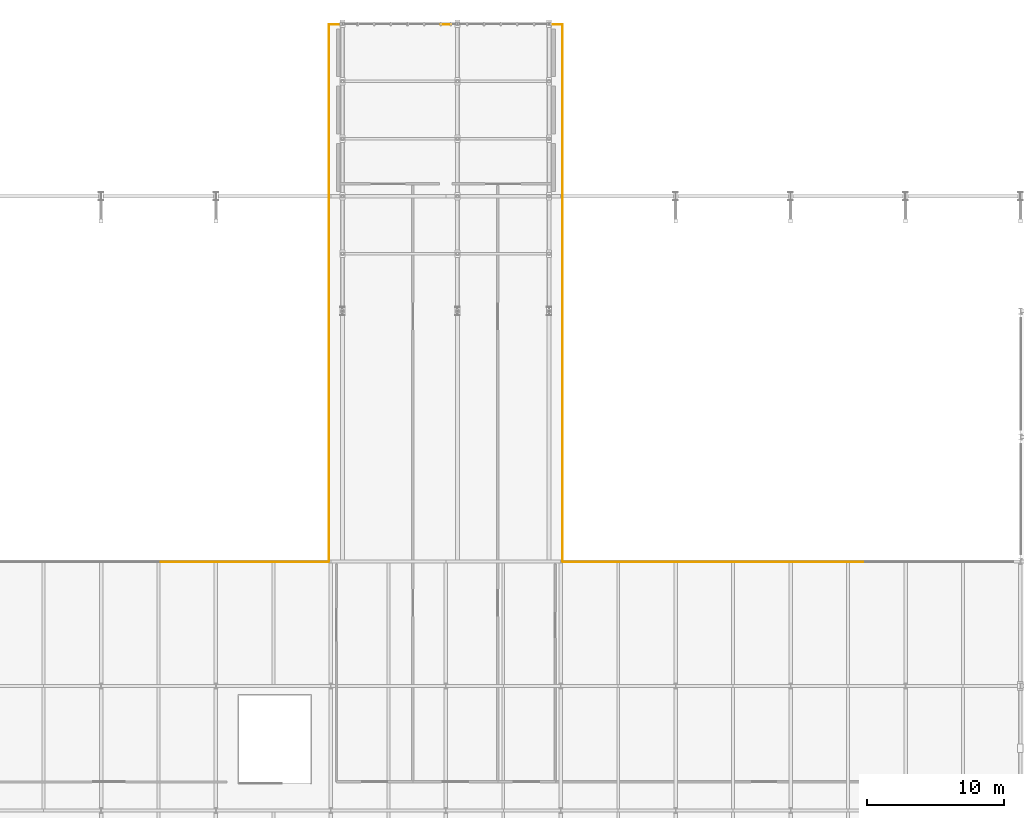
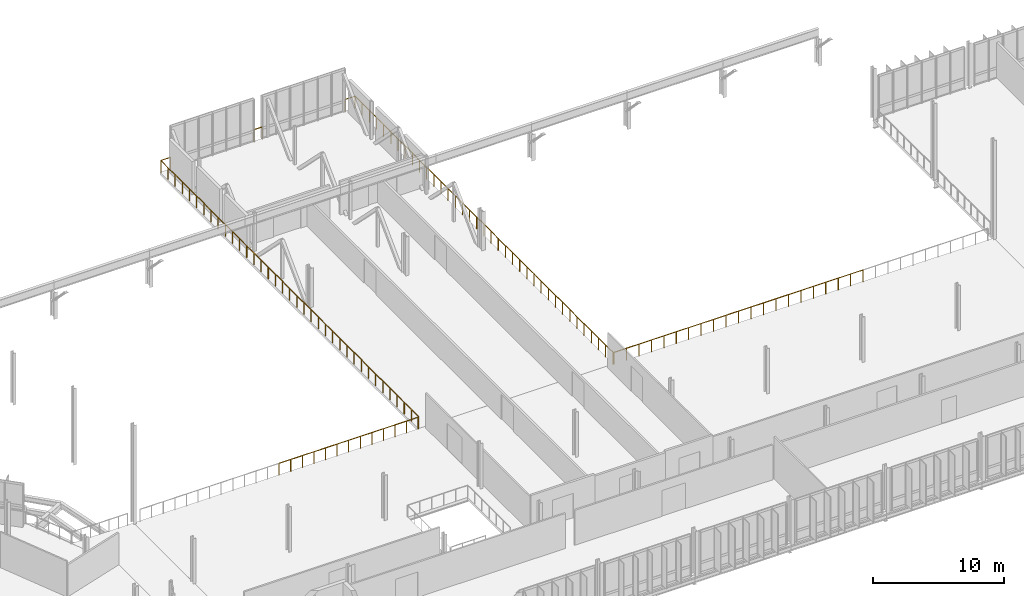
# One storey, part 106 of 107: 55 railings.
"""IFC4 building model written with IfcOpenShell, lengths in metres."""

from ifc_helpers import new_model, si_unit, derived_unit, direction, frame, origin, origin_2d, place, context, subcontext, project, spatial, circle, extrude, material, type_object, element, save


model = new_model("IFC4")

# Units and contexts
model_context = context("Model", 3, precision=1e-05, world=origin(), true_north=direction((0.0, 1.0)))
body_context = subcontext(model_context, "Body", "Model", "MODEL_VIEW")
ifc_project = project(units=[si_unit("LENGTHUNIT", "METRE"), si_unit("AREAUNIT", "SQUARE_METRE"), si_unit("VOLUMEUNIT", "CUBIC_METRE"), si_unit("PLANEANGLEUNIT", "RADIAN"), si_unit("MASSUNIT", "GRAM", prefix="KILO"), derived_unit("THERMALTRANSMITTANCEUNIT", [(si_unit("MASSUNIT", "GRAM", prefix="KILO"), 1), (si_unit("TIMEUNIT", "SECOND"), -3), (si_unit("THERMODYNAMICTEMPERATUREUNIT", "KELVIN"), -1)])], contexts=[model_context])

# Site, building, storey
site_placement = place(None, origin())
site = spatial("IfcSite", under=ifc_project, at=site_placement, CompositionType="ELEMENT")
building_placement = place(site_placement, origin())
building = spatial("IfcBuilding", under=site, at=building_placement, Name="Makaiwela Harbour Ferry Terminal", CompositionType="ELEMENT")
storey_placement = place(building_placement, frame((0.0, 0.0, 9.60009765625)))
storey = spatial("IfcBuildingStorey", under=building, at=storey_placement, Name="L02", CompositionType="ELEMENT", Elevation=9.60009765625)

# Railings
ifc_material = material(Name="Marine grade 316L brushed stainless steel", Category="steel")
railing_type = type_object("IfcRailingType", Name="INT-RL-GRD110", PredefinedType="GUARDRAIL", material=ifc_material)
railing_1_placement = place(storey_placement, frame((75.77392578125, 76.655029296875, 0.0)))
element("IfcRailing", 1, at=railing_1_placement, inside=storey, type_object=railing_type, Name="Deck edge guardrail RL-0492", PredefinedType="GUARDRAIL", context=body_context, shape_type="SweptSolid", body=[
    extrude(circle(Radius=0.02392578125, at=origin_2d()), frame((0.0, 0.0, 1.09619140625), z_axis=(1.0, 0.0, 0.0), x_axis=(0.0, 1.0, 0.0)), (0.0, 0.0, 1.0), 2.03759765625),
    extrude(circle(Radius=0.02099609375, at=origin_2d()), origin(), (0.0, 0.0, 1.0), 1.072021484375),
    extrude(circle(Radius=0.02099609375, at=origin_2d()), frame((1.018798828125, 0.0, 0.0)), (0.0, 0.0, 1.0), 1.072021484375),
    extrude(circle(Radius=0.02099609375, at=origin_2d()), frame((2.03759765625, 0.0, 0.0)), (0.0, 0.0, 1.0), 1.072021484375),
])
railing_2_placement = place(storey_placement, frame((77.8115234375, 76.655029296875, 0.0)))
element("IfcRailing", 2, at=railing_2_placement, inside=storey, type_object=railing_type, Name="Deck edge guardrail RL-0493", PredefinedType="GUARDRAIL", context=body_context, shape_type="SweptSolid", body=[
    extrude(circle(Radius=0.02392578125, at=origin_2d()), frame((0.0, 0.0, 1.09619140625), z_axis=(1.0, 0.0, 0.0), x_axis=(0.0, 1.0, 0.0)), (0.0, 0.0, 1.0), 2.037841796875),
    extrude(circle(Radius=0.02099609375, at=origin_2d()), origin(), (0.0, 0.0, 1.0), 1.072021484375),
    extrude(circle(Radius=0.02099609375, at=origin_2d()), frame((1.01904296875, 0.0, 0.0)), (0.0, 0.0, 1.0), 1.072021484375),
    extrude(circle(Radius=0.02099609375, at=origin_2d()), frame((2.037841796875, 0.0, 0.0)), (0.0, 0.0, 1.0), 1.072021484375),
])
for number, where, name in (
    (3, (79.849365234375, 76.655029296875, 0.0), "Deck edge guardrail RL-0494"),
    (4, (81.886962890625, 76.655029296875, 0.0), "Deck edge guardrail RL-0495"),
):
    element("IfcRailing", number, at=place(storey_placement, frame(where)), inside=storey, type_object=railing_type, Name=name, PredefinedType="GUARDRAIL", context=body_context, shape_type="SweptSolid", body=[
        extrude(circle(Radius=0.02392578125, at=origin_2d()), frame((0.0, 0.0, 1.09619140625), z_axis=(1.0, 0.0, 0.0), x_axis=(0.0, 1.0, 0.0)), (0.0, 0.0, 1.0), 2.03759765625),
        extrude(circle(Radius=0.02099609375, at=origin_2d()), origin(), (0.0, 0.0, 1.0), 1.072021484375),
        extrude(circle(Radius=0.02099609375, at=origin_2d()), frame((1.018798828125, 0.0, 0.0)), (0.0, 0.0, 1.0), 1.072021484375),
        extrude(circle(Radius=0.02099609375, at=origin_2d()), frame((2.03759765625, 0.0, 0.0)), (0.0, 0.0, 1.0), 1.072021484375),
    ])
railing_3_placement = place(storey_placement, frame((83.924560546875, 76.655029296875, 0.0)))
element("IfcRailing", 5, at=railing_3_placement, inside=storey, type_object=railing_type, Name="Deck edge guardrail RL-0496", PredefinedType="GUARDRAIL", context=body_context, shape_type="SweptSolid", body=[
    extrude(circle(Radius=0.02392578125, at=origin_2d()), frame((0.0, 0.0, 1.09619140625), z_axis=(1.0, 0.0, 0.0), x_axis=(0.0, 1.0, 0.0)), (0.0, 0.0, 1.0), 2.037841796875),
    extrude(circle(Radius=0.02099609375, at=origin_2d()), origin(), (0.0, 0.0, 1.0), 1.072021484375),
    extrude(circle(Radius=0.02099609375, at=origin_2d()), frame((1.01904296875, 0.0, 0.0)), (0.0, 0.0, 1.0), 1.072021484375),
    extrude(circle(Radius=0.02099609375, at=origin_2d()), frame((2.037841796875, 0.0, 0.0)), (0.0, 0.0, 1.0), 1.072021484375),
])
railing_4_placement = place(storey_placement, frame((85.96240234375, 76.655029296875, 0.0)))
element("IfcRailing", 6, at=railing_4_placement, inside=storey, type_object=railing_type, Name="Deck edge guardrail RL-0497", PredefinedType="GUARDRAIL", context=body_context, shape_type="SweptSolid", body=[
    extrude(circle(Radius=0.02392578125, at=origin_2d()), frame((0.0, 0.0, 1.09619140625), z_axis=(1.0, 0.0, 0.0), x_axis=(0.0, 1.0, 0.0)), (0.0, 0.0, 1.0), 2.03759765625),
    extrude(circle(Radius=0.02099609375, at=origin_2d()), origin(), (0.0, 0.0, 1.0), 1.072021484375),
    extrude(circle(Radius=0.02099609375, at=origin_2d()), frame((1.018798828125, 0.0, 0.0)), (0.0, 0.0, 1.0), 1.072021484375),
    extrude(circle(Radius=0.02099609375, at=origin_2d()), frame((2.03759765625, 0.0, 0.0)), (0.0, 0.0, 1.0), 1.072021484375),
])
for number, where, name in (
    (7, (88.06494140625, 76.719970703125, 0.0), "Deck edge guardrail RL-0498"),
    (8, (88.06494140625, 78.899658203125, 0.0), "Deck edge guardrail RL-0499"),
):
    element("IfcRailing", number, at=place(storey_placement, frame(where)), inside=storey, type_object=railing_type, Name=name, PredefinedType="GUARDRAIL", context=body_context, shape_type="SweptSolid", body=[
        extrude(circle(Radius=0.02392578125, at=origin_2d()), frame((0.0, 0.0, 1.09619140625), z_axis=(0.0, 1.0, 0.0), x_axis=(-1.0, 0.0, 0.0)), (0.0, 0.0, 1.0), 2.1796875),
        extrude(circle(Radius=0.02099609375, at=origin_2d()), origin(), (0.0, 0.0, 1.0), 1.072021484375),
        extrude(circle(Radius=0.02099609375, at=origin_2d()), frame((0.0, 1.08984375, 0.0)), (0.0, 0.0, 1.0), 1.072021484375),
        extrude(circle(Radius=0.02099609375, at=origin_2d()), frame((0.0, 2.1796875, 0.0)), (0.0, 0.0, 1.0), 1.072021484375),
    ])
railing_5_placement = place(storey_placement, frame((88.06494140625, 81.079345703125, 0.0)))
element("IfcRailing", 9, at=railing_5_placement, inside=storey, type_object=railing_type, Name="Deck edge guardrail RL-0500", PredefinedType="GUARDRAIL", context=body_context, shape_type="SweptSolid", body=[
    extrude(circle(Radius=0.02392578125, at=origin_2d()), frame((0.0, 0.0, 1.09619140625), z_axis=(0.0, 1.0, 0.0), x_axis=(-1.0, 0.0, 0.0)), (0.0, 0.0, 1.0), 2.179931640625),
    extrude(circle(Radius=0.02099609375, at=origin_2d()), origin(), (0.0, 0.0, 1.0), 1.072021484375),
    extrude(circle(Radius=0.02099609375, at=origin_2d()), frame((0.0, 1.08984375, 0.0)), (0.0, 0.0, 1.0), 1.072021484375),
    extrude(circle(Radius=0.02099609375, at=origin_2d()), frame((0.0, 2.179931640625, 0.0)), (0.0, 0.0, 1.0), 1.072021484375),
])
for number, where, name in (
    (10, (88.06494140625, 83.25927734375, 0.0), "Deck edge guardrail RL-0501"),
    (11, (88.06494140625, 85.43896484375, 0.0), "Deck edge guardrail RL-0502"),
    (12, (88.06494140625, 87.61865234375, 0.0), "Deck edge guardrail RL-0503"),
    (13, (88.06494140625, 89.79833984375, 0.0), "Deck edge guardrail RL-0504"),
    (14, (88.06494140625, 91.97802734375, 0.0), "Deck edge guardrail RL-0505"),
    (15, (88.06494140625, 94.15771484375, 0.0), "Deck edge guardrail RL-0506"),
    (16, (88.06494140625, 96.33740234375, 0.0), "Deck edge guardrail RL-0507"),
):
    element("IfcRailing", number, at=place(storey_placement, frame(where)), inside=storey, type_object=railing_type, Name=name, PredefinedType="GUARDRAIL", context=body_context, shape_type="SweptSolid", body=[
        extrude(circle(Radius=0.02392578125, at=origin_2d()), frame((0.0, 0.0, 1.09619140625), z_axis=(0.0, 1.0, 0.0), x_axis=(-1.0, 0.0, 0.0)), (0.0, 0.0, 1.0), 2.1796875),
        extrude(circle(Radius=0.02099609375, at=origin_2d()), origin(), (0.0, 0.0, 1.0), 1.072021484375),
        extrude(circle(Radius=0.02099609375, at=origin_2d()), frame((0.0, 1.08984375, 0.0)), (0.0, 0.0, 1.0), 1.072021484375),
        extrude(circle(Radius=0.02099609375, at=origin_2d()), frame((0.0, 2.1796875, 0.0)), (0.0, 0.0, 1.0), 1.072021484375),
    ])
railing_6_placement = place(storey_placement, frame((88.06494140625, 98.51708984375, 0.0)))
element("IfcRailing", 17, at=railing_6_placement, inside=storey, type_object=railing_type, Name="Deck edge guardrail RL-0508", PredefinedType="GUARDRAIL", context=body_context, shape_type="SweptSolid", body=[
    extrude(circle(Radius=0.02392578125, at=origin_2d()), frame((0.0, 0.0, 1.09619140625), z_axis=(0.0, 1.0, 0.0), x_axis=(-1.0, 0.0, 0.0)), (0.0, 0.0, 1.0), 2.179931640625),
    extrude(circle(Radius=0.02099609375, at=origin_2d()), origin(), (0.0, 0.0, 1.0), 1.072021484375),
    extrude(circle(Radius=0.02099609375, at=origin_2d()), frame((0.0, 1.08984375, 0.0)), (0.0, 0.0, 1.0), 1.072021484375),
    extrude(circle(Radius=0.02099609375, at=origin_2d()), frame((0.0, 2.179931640625, 0.0)), (0.0, 0.0, 1.0), 1.072021484375),
])
for number, where, name in (
    (18, (88.06494140625, 100.697021484375, 0.0), "Deck edge guardrail RL-0509"),
    (19, (88.06494140625, 102.876708984375, 0.0), "Deck edge guardrail RL-0510"),
    (20, (88.06494140625, 105.056396484375, 0.0), "Deck edge guardrail RL-0511"),
    (21, (88.06494140625, 107.236083984375, 0.0), "Deck edge guardrail RL-0512"),
):
    element("IfcRailing", number, at=place(storey_placement, frame(where)), inside=storey, type_object=railing_type, Name=name, PredefinedType="GUARDRAIL", context=body_context, shape_type="SweptSolid", body=[
        extrude(circle(Radius=0.02392578125, at=origin_2d()), frame((0.0, 0.0, 1.09619140625), z_axis=(0.0, 1.0, 0.0), x_axis=(-1.0, 0.0, 0.0)), (0.0, 0.0, 1.0), 2.1796875),
        extrude(circle(Radius=0.02099609375, at=origin_2d()), origin(), (0.0, 0.0, 1.0), 1.072021484375),
        extrude(circle(Radius=0.02099609375, at=origin_2d()), frame((0.0, 1.08984375, 0.0)), (0.0, 0.0, 1.0), 1.072021484375),
        extrude(circle(Radius=0.02099609375, at=origin_2d()), frame((0.0, 2.1796875, 0.0)), (0.0, 0.0, 1.0), 1.072021484375),
    ])
railing_7_placement = place(storey_placement, frame((88.06494140625, 109.415771484375, 0.0)))
element("IfcRailing", 22, at=railing_7_placement, inside=storey, type_object=railing_type, Name="Deck edge guardrail RL-0513", PredefinedType="GUARDRAIL", context=body_context, shape_type="SweptSolid", body=[
    extrude(circle(Radius=0.02392578125, at=origin_2d()), frame((0.0, 0.0, 1.09619140625), z_axis=(0.0, 1.0, 0.0), x_axis=(-1.0, 0.0, 0.0)), (0.0, 0.0, 1.0), 2.179931640625),
    extrude(circle(Radius=0.02099609375, at=origin_2d()), origin(), (0.0, 0.0, 1.0), 1.072021484375),
    extrude(circle(Radius=0.02099609375, at=origin_2d()), frame((0.0, 1.08984375, 0.0)), (0.0, 0.0, 1.0), 1.072021484375),
    extrude(circle(Radius=0.02099609375, at=origin_2d()), frame((0.0, 2.179931640625, 0.0)), (0.0, 0.0, 1.0), 1.072021484375),
])
for number, where, name in (
    (23, (88.06494140625, 111.595703125, 0.0), "Deck edge guardrail RL-0514"),
    (24, (88.06494140625, 113.775390625, 0.0), "Deck edge guardrail RL-0515"),
):
    element("IfcRailing", number, at=place(storey_placement, frame(where)), inside=storey, type_object=railing_type, Name=name, PredefinedType="GUARDRAIL", context=body_context, shape_type="SweptSolid", body=[
        extrude(circle(Radius=0.02392578125, at=origin_2d()), frame((0.0, 0.0, 1.09619140625), z_axis=(0.0, 1.0, 0.0), x_axis=(-1.0, 0.0, 0.0)), (0.0, 0.0, 1.0), 2.1796875),
        extrude(circle(Radius=0.02099609375, at=origin_2d()), origin(), (0.0, 0.0, 1.0), 1.072021484375),
        extrude(circle(Radius=0.02099609375, at=origin_2d()), frame((0.0, 1.08984375, 0.0)), (0.0, 0.0, 1.0), 1.072021484375),
        extrude(circle(Radius=0.02099609375, at=origin_2d()), frame((0.0, 2.1796875, 0.0)), (0.0, 0.0, 1.0), 1.072021484375),
    ])
railing_8_placement = place(storey_placement, frame((88.06494140625, 115.955078125, 0.0)))
element("IfcRailing", 25, at=railing_8_placement, inside=storey, type_object=railing_type, Name="Deck edge guardrail RL-0516", PredefinedType="GUARDRAIL", context=body_context, shape_type="SweptSolid", body=[
    extrude(circle(Radius=0.02392578125, at=origin_2d()), frame((0.0, 0.0, 1.09619140625), z_axis=(1.0, 0.0, 0.0), x_axis=(0.0, 1.0, 0.0)), (0.0, 0.0, 1.0), 0.864990234375),
    extrude(circle(Radius=0.02099609375, at=origin_2d()), origin(), (0.0, 0.0, 1.0), 1.072021484375),
    extrude(circle(Radius=0.02099609375, at=origin_2d()), frame((0.864990234375, 0.0, 0.0)), (0.0, 0.0, 1.0), 1.072021484375),
])
railing_9_placement = place(storey_placement, frame((96.239990234375, 115.955078125, 0.0)))
element("IfcRailing", 26, at=railing_9_placement, inside=storey, type_object=railing_type, Name="Deck edge guardrail RL-0517", PredefinedType="GUARDRAIL", context=body_context, shape_type="SweptSolid", body=[
    extrude(circle(Radius=0.02392578125, at=origin_2d()), frame((0.0, 0.0, 1.09619140625), z_axis=(1.0, 0.0, 0.0), x_axis=(0.0, 1.0, 0.0)), (0.0, 0.0, 1.0), 0.719970703125),
    extrude(circle(Radius=0.02099609375, at=origin_2d()), origin(), (0.0, 0.0, 1.0), 1.072021484375),
    extrude(circle(Radius=0.02099609375, at=origin_2d()), frame((0.719970703125, 0.0, 0.0)), (0.0, 0.0, 1.0), 1.072021484375),
])
railing_10_placement = place(storey_placement, frame((104.27001953125, 115.955078125, 0.0)))
element("IfcRailing", 27, at=railing_10_placement, inside=storey, type_object=railing_type, Name="Deck edge guardrail RL-0518", PredefinedType="GUARDRAIL", context=body_context, shape_type="SweptSolid", body=[
    extrude(circle(Radius=0.02392578125, at=origin_2d()), frame((0.0, 0.0, 1.09619140625), z_axis=(1.0, 0.0, 0.0), x_axis=(0.0, 1.0, 0.0)), (0.0, 0.0, 1.0), 0.864990234375),
    extrude(circle(Radius=0.02099609375, at=origin_2d()), origin(), (0.0, 0.0, 1.0), 1.072021484375),
    extrude(circle(Radius=0.02099609375, at=origin_2d()), frame((0.864990234375, 0.0, 0.0)), (0.0, 0.0, 1.0), 1.072021484375),
])
for number, where, name in (
    (28, (105.135009765625, 115.955078125, 0.0), "Deck edge guardrail RL-0519"),
    (29, (105.135009765625, 113.775390625, 0.0), "Deck edge guardrail RL-0520"),
):
    element("IfcRailing", number, at=place(storey_placement, frame(where)), inside=storey, type_object=railing_type, Name=name, PredefinedType="GUARDRAIL", context=body_context, shape_type="SweptSolid", body=[
        extrude(circle(Radius=0.02392578125, at=origin_2d()), frame((0.0, 0.0, 1.09619140625), z_axis=(0.0, -1.0, 0.0), x_axis=(1.0, 0.0, 0.0)), (0.0, 0.0, 1.0), 2.1796875),
        extrude(circle(Radius=0.02099609375, at=origin_2d()), origin(), (0.0, 0.0, 1.0), 1.072021484375),
        extrude(circle(Radius=0.02099609375, at=origin_2d()), frame((0.0, -1.08984375, 0.0)), (0.0, 0.0, 1.0), 1.072021484375),
        extrude(circle(Radius=0.02099609375, at=origin_2d()), frame((0.0, -2.1796875, 0.0)), (0.0, 0.0, 1.0), 1.072021484375),
    ])
railing_11_placement = place(storey_placement, frame((105.135009765625, 111.595703125, 0.0)))
element("IfcRailing", 30, at=railing_11_placement, inside=storey, type_object=railing_type, Name="Deck edge guardrail RL-0521", PredefinedType="GUARDRAIL", context=body_context, shape_type="SweptSolid", body=[
    extrude(circle(Radius=0.02392578125, at=origin_2d()), frame((0.0, 0.0, 1.09619140625), z_axis=(0.0, -1.0, 0.0), x_axis=(1.0, 0.0, 0.0)), (0.0, 0.0, 1.0), 2.179931640625),
    extrude(circle(Radius=0.02099609375, at=origin_2d()), origin(), (0.0, 0.0, 1.0), 1.072021484375),
    extrude(circle(Radius=0.02099609375, at=origin_2d()), frame((0.0, -1.08984375, 0.0)), (0.0, 0.0, 1.0), 1.072021484375),
    extrude(circle(Radius=0.02099609375, at=origin_2d()), frame((0.0, -2.179931640625, 0.0)), (0.0, 0.0, 1.0), 1.072021484375),
])
for number, where, name in (
    (31, (105.135009765625, 109.415771484375, 0.0), "Deck edge guardrail RL-0522"),
    (32, (105.135009765625, 107.236083984375, 0.0), "Deck edge guardrail RL-0523"),
    (33, (105.135009765625, 105.056396484375, 0.0), "Deck edge guardrail RL-0524"),
    (34, (105.135009765625, 102.876708984375, 0.0), "Deck edge guardrail RL-0525"),
):
    element("IfcRailing", number, at=place(storey_placement, frame(where)), inside=storey, type_object=railing_type, Name=name, PredefinedType="GUARDRAIL", context=body_context, shape_type="SweptSolid", body=[
        extrude(circle(Radius=0.02392578125, at=origin_2d()), frame((0.0, 0.0, 1.09619140625), z_axis=(0.0, -1.0, 0.0), x_axis=(1.0, 0.0, 0.0)), (0.0, 0.0, 1.0), 2.1796875),
        extrude(circle(Radius=0.02099609375, at=origin_2d()), origin(), (0.0, 0.0, 1.0), 1.072021484375),
        extrude(circle(Radius=0.02099609375, at=origin_2d()), frame((0.0, -1.08984375, 0.0)), (0.0, 0.0, 1.0), 1.072021484375),
        extrude(circle(Radius=0.02099609375, at=origin_2d()), frame((0.0, -2.1796875, 0.0)), (0.0, 0.0, 1.0), 1.072021484375),
    ])
railing_12_placement = place(storey_placement, frame((105.135009765625, 100.697021484375, 0.0)))
element("IfcRailing", 35, at=railing_12_placement, inside=storey, type_object=railing_type, Name="Deck edge guardrail RL-0526", PredefinedType="GUARDRAIL", context=body_context, shape_type="SweptSolid", body=[
    extrude(circle(Radius=0.02392578125, at=origin_2d()), frame((0.0, 0.0, 1.09619140625), z_axis=(0.0, -1.0, 0.0), x_axis=(1.0, 0.0, 0.0)), (0.0, 0.0, 1.0), 2.179931640625),
    extrude(circle(Radius=0.02099609375, at=origin_2d()), origin(), (0.0, 0.0, 1.0), 1.072021484375),
    extrude(circle(Radius=0.02099609375, at=origin_2d()), frame((0.0, -1.08984375, 0.0)), (0.0, 0.0, 1.0), 1.072021484375),
    extrude(circle(Radius=0.02099609375, at=origin_2d()), frame((0.0, -2.179931640625, 0.0)), (0.0, 0.0, 1.0), 1.072021484375),
])
for number, where, name in (
    (36, (105.135009765625, 98.51708984375, 0.0), "Deck edge guardrail RL-0527"),
    (37, (105.135009765625, 96.33740234375, 0.0), "Deck edge guardrail RL-0528"),
    (38, (105.135009765625, 94.15771484375, 0.0), "Deck edge guardrail RL-0529"),
    (39, (105.135009765625, 91.97802734375, 0.0), "Deck edge guardrail RL-0530"),
    (40, (105.135009765625, 89.79833984375, 0.0), "Deck edge guardrail RL-0531"),
    (41, (105.135009765625, 87.61865234375, 0.0), "Deck edge guardrail RL-0532"),
    (42, (105.135009765625, 85.43896484375, 0.0), "Deck edge guardrail RL-0533"),
):
    element("IfcRailing", number, at=place(storey_placement, frame(where)), inside=storey, type_object=railing_type, Name=name, PredefinedType="GUARDRAIL", context=body_context, shape_type="SweptSolid", body=[
        extrude(circle(Radius=0.02392578125, at=origin_2d()), frame((0.0, 0.0, 1.09619140625), z_axis=(0.0, -1.0, 0.0), x_axis=(1.0, 0.0, 0.0)), (0.0, 0.0, 1.0), 2.1796875),
        extrude(circle(Radius=0.02099609375, at=origin_2d()), origin(), (0.0, 0.0, 1.0), 1.072021484375),
        extrude(circle(Radius=0.02099609375, at=origin_2d()), frame((0.0, -1.08984375, 0.0)), (0.0, 0.0, 1.0), 1.072021484375),
        extrude(circle(Radius=0.02099609375, at=origin_2d()), frame((0.0, -2.1796875, 0.0)), (0.0, 0.0, 1.0), 1.072021484375),
    ])
railing_13_placement = place(storey_placement, frame((105.135009765625, 83.25927734375, 0.0)))
element("IfcRailing", 43, at=railing_13_placement, inside=storey, type_object=railing_type, Name="Deck edge guardrail RL-0534", PredefinedType="GUARDRAIL", context=body_context, shape_type="SweptSolid", body=[
    extrude(circle(Radius=0.02392578125, at=origin_2d()), frame((0.0, 0.0, 1.09619140625), z_axis=(0.0, -1.0, 0.0), x_axis=(1.0, 0.0, 0.0)), (0.0, 0.0, 1.0), 2.179931640625),
    extrude(circle(Radius=0.02099609375, at=origin_2d()), origin(), (0.0, 0.0, 1.0), 1.072021484375),
    extrude(circle(Radius=0.02099609375, at=origin_2d()), frame((0.0, -1.08984375, 0.0)), (0.0, 0.0, 1.0), 1.072021484375),
    extrude(circle(Radius=0.02099609375, at=origin_2d()), frame((0.0, -2.179931640625, 0.0)), (0.0, 0.0, 1.0), 1.072021484375),
])
for number, where, name in (
    (44, (105.135009765625, 81.079345703125, 0.0), "Deck edge guardrail RL-0535"),
    (45, (105.135009765625, 78.899658203125, 0.0), "Deck edge guardrail RL-0536"),
):
    element("IfcRailing", number, at=place(storey_placement, frame(where)), inside=storey, type_object=railing_type, Name=name, PredefinedType="GUARDRAIL", context=body_context, shape_type="SweptSolid", body=[
        extrude(circle(Radius=0.02392578125, at=origin_2d()), frame((0.0, 0.0, 1.09619140625), z_axis=(0.0, -1.0, 0.0), x_axis=(1.0, 0.0, 0.0)), (0.0, 0.0, 1.0), 2.1796875),
        extrude(circle(Radius=0.02099609375, at=origin_2d()), origin(), (0.0, 0.0, 1.0), 1.072021484375),
        extrude(circle(Radius=0.02099609375, at=origin_2d()), frame((0.0, -1.08984375, 0.0)), (0.0, 0.0, 1.0), 1.072021484375),
        extrude(circle(Radius=0.02099609375, at=origin_2d()), frame((0.0, -2.1796875, 0.0)), (0.0, 0.0, 1.0), 1.072021484375),
    ])
for number, where, name in (
    (46, (105.199951171875, 76.655029296875, 0.0), "Deck edge guardrail RL-0537"),
    (47, (107.39013671875, 76.655029296875, 0.0), "Deck edge guardrail RL-0538"),
    (48, (109.580322265625, 76.655029296875, 0.0), "Deck edge guardrail RL-0539"),
    (49, (111.7705078125, 76.655029296875, 0.0), "Deck edge guardrail RL-0540"),
):
    element("IfcRailing", number, at=place(storey_placement, frame(where)), inside=storey, type_object=railing_type, Name=name, PredefinedType="GUARDRAIL", context=body_context, shape_type="SweptSolid", body=[
        extrude(circle(Radius=0.02392578125, at=origin_2d()), frame((0.0, 0.0, 1.09619140625), z_axis=(1.0, 0.0, 0.0), x_axis=(0.0, 1.0, 0.0)), (0.0, 0.0, 1.0), 2.190185546875),
        extrude(circle(Radius=0.02099609375, at=origin_2d()), origin(), (0.0, 0.0, 1.0), 1.072021484375),
        extrude(circle(Radius=0.02099609375, at=origin_2d()), frame((1.09521484375, 0.0, 0.0)), (0.0, 0.0, 1.0), 1.072021484375),
        extrude(circle(Radius=0.02099609375, at=origin_2d()), frame((2.190185546875, 0.0, 0.0)), (0.0, 0.0, 1.0), 1.072021484375),
    ])
railing_14_placement = place(storey_placement, frame((113.960693359375, 76.655029296875, 0.0)))
element("IfcRailing", 50, at=railing_14_placement, inside=storey, type_object=railing_type, Name="Deck edge guardrail RL-0541", PredefinedType="GUARDRAIL", context=body_context, shape_type="SweptSolid", body=[
    extrude(circle(Radius=0.02392578125, at=origin_2d()), frame((0.0, 0.0, 1.09619140625), z_axis=(1.0, 0.0, 0.0), x_axis=(0.0, 1.0, 0.0)), (0.0, 0.0, 1.0), 2.18994140625),
    extrude(circle(Radius=0.02099609375, at=origin_2d()), origin(), (0.0, 0.0, 1.0), 1.072021484375),
    extrude(circle(Radius=0.02099609375, at=origin_2d()), frame((1.094970703125, 0.0, 0.0)), (0.0, 0.0, 1.0), 1.072021484375),
    extrude(circle(Radius=0.02099609375, at=origin_2d()), frame((2.18994140625, 0.0, 0.0)), (0.0, 0.0, 1.0), 1.072021484375),
])
for number, where, name in (
    (51, (116.150634765625, 76.655029296875, 0.0), "Deck edge guardrail RL-0542"),
    (52, (118.3408203125, 76.655029296875, 0.0), "Deck edge guardrail RL-0543"),
    (53, (120.531005859375, 76.655029296875, 0.0), "Deck edge guardrail RL-0544"),
    (54, (122.72119140625, 76.655029296875, 0.0), "Deck edge guardrail RL-0545"),
    (55, (124.911376953125, 76.655029296875, 0.0), "Deck edge guardrail RL-0546"),
):
    element("IfcRailing", number, at=place(storey_placement, frame(where)), inside=storey, type_object=railing_type, Name=name, PredefinedType="GUARDRAIL", context=body_context, shape_type="SweptSolid", body=[
        extrude(circle(Radius=0.02392578125, at=origin_2d()), frame((0.0, 0.0, 1.09619140625), z_axis=(1.0, 0.0, 0.0), x_axis=(0.0, 1.0, 0.0)), (0.0, 0.0, 1.0), 2.190185546875),
        extrude(circle(Radius=0.02099609375, at=origin_2d()), origin(), (0.0, 0.0, 1.0), 1.072021484375),
        extrude(circle(Radius=0.02099609375, at=origin_2d()), frame((1.09521484375, 0.0, 0.0)), (0.0, 0.0, 1.0), 1.072021484375),
        extrude(circle(Radius=0.02099609375, at=origin_2d()), frame((2.190185546875, 0.0, 0.0)), (0.0, 0.0, 1.0), 1.072021484375),
    ])

save(model, "model.ifc")
